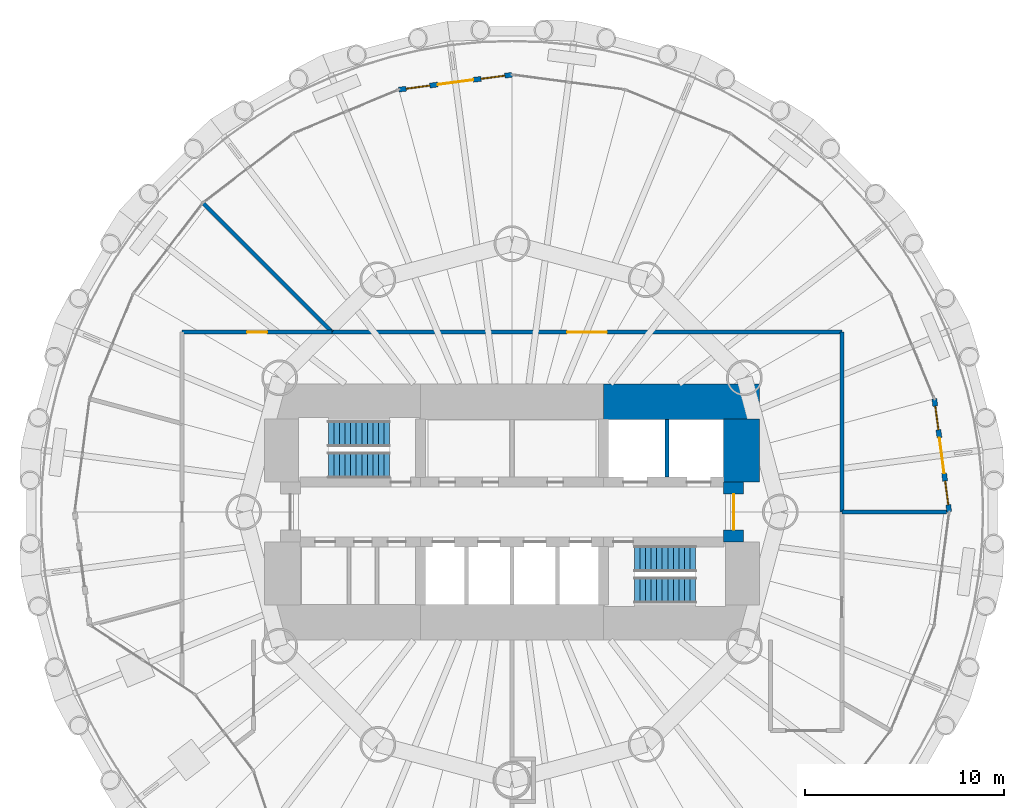
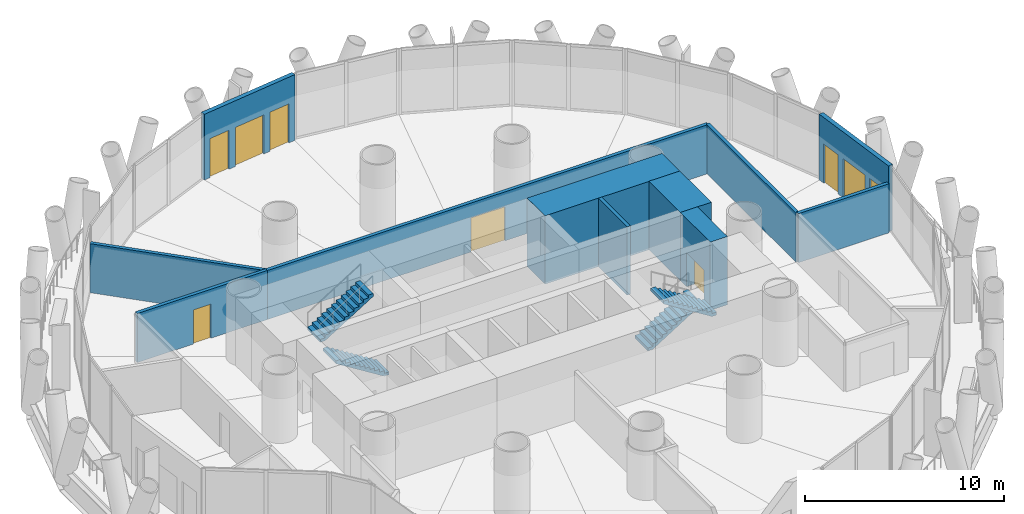
# One storey, part 10 of 14: 11 walls, 5 doors, 4 stair flights, 4 windows, 9 openings, 2 elements without a shape of their own.
"""IFC4 building model written with IfcOpenShell, lengths in metres."""

from ifc_helpers import new_model, si_unit, direction, frame, frame_2d, origin, place, context, subcontext, project, spatial, polyline, rectangle, outline, extrude, material, layer, layer_set, type_object, element, fill, aggregate, save


model = new_model("IFC4")

# Units and contexts
model_context = context("Model", 3, precision=1e-05, world=origin(), true_north=direction((0.0, 1.0)))
body_context = subcontext(model_context, "Body", "Model", "MODEL_VIEW")
ifc_project = project(units=[si_unit("LENGTHUNIT", "METRE"), si_unit("AREAUNIT", "SQUARE_METRE"), si_unit("VOLUMEUNIT", "CUBIC_METRE"), si_unit("PLANEANGLEUNIT", "RADIAN"), si_unit("MASSUNIT", "GRAM", prefix="KILO")], contexts=[model_context])

# Site, building, storey
site_placement = place(None, origin())
site = spatial("IfcSite", under=ifc_project, at=site_placement, CompositionType="ELEMENT")
building_placement = place(site_placement, origin())
building = spatial("IfcBuilding", under=site, at=building_placement, Name="Qaws Media Tower", CompositionType="ELEMENT")
storey_placement = place(building_placement, frame((0.0, 0.0, 185.60009765625)))
storey = spatial("IfcBuildingStorey", under=building, at=storey_placement, Name="L42", CompositionType="ELEMENT", Elevation=185.60009765625)

# Wall, openings, door, windows
ifc_material_1 = material(Name="Precast concrete, exposed finish", Category="concrete")
ifc_layer_1 = layer(ifc_material_1, 0.25)
ifc_layer_set_1 = layer_set([ifc_layer_1], Name="Balcony door wall 250")
wall_type_1 = type_object("IfcWallType", Name="Balcony door wall 250", PredefinedType="SOLIDWALL", material=ifc_layer_set_1)
wall_1_placement = place(storey_placement, frame((82.0, 50.0, 0.0), z_axis=(0.0, 0.0, 1.0), x_axis=(-0.130503995834, 0.991447783331, 0.0)))
wall_1 = element("IfcWall", 1, at=wall_1_placement, inside=storey, type_object=wall_type_1, Name="W226 EW1 balcony door wall L42-01", PredefinedType="SOLIDWALL", context=body_context, shape_type="SweptSolid", body=[
    extrude(rectangle(XDim=5.7431640625, YDim=0.25, at=frame_2d((2.87158203125, 0.0))), origin(), (0.0, 0.0, 1.0), 4.039794921875),
])
opening_1_placement = place(wall_1_placement, frame((1.9716796875, 0.0, 0.0)))
opening_1 = element("IfcOpeningElement", 2, at=opening_1_placement, cuts=wall_1, Name="Opening D7", PredefinedType="OPENING", context=body_context, shape_type="SweptSolid", body=[
    extrude(rectangle(XDim=1.800048828125, YDim=2.39990234375, at=frame_2d((0.89990234375, 1.199951171875))), frame((0.0, 0.135009765625, 0.0), z_axis=(0.0, -1.0, 0.0), x_axis=(1.0, 0.0, 0.0)), (0.0, 0.0, 1.0), 0.27001953125),
])
opening_2_placement = place(wall_1_placement, frame((0.37158203125, 0.0, 0.0)))
opening_2 = element("IfcOpeningElement", 3, at=opening_2_placement, cuts=wall_1, Name="Opening W1", PredefinedType="OPENING", context=body_context, shape_type="SweptSolid", body=[
    extrude(rectangle(XDim=1.199951171875, YDim=2.39990234375, at=frame_2d((0.60009765625, 1.199951171875))), frame((0.0, 0.135009765625, 0.0), z_axis=(0.0, -1.0, 0.0), x_axis=(1.0, 0.0, 0.0)), (0.0, 0.0, 1.0), 0.27001953125),
])
opening_3_placement = place(wall_1_placement, frame((4.171630859375, 0.0, 0.0)))
opening_3 = element("IfcOpeningElement", 4, at=opening_3_placement, cuts=wall_1, Name="Opening W1", PredefinedType="OPENING", context=body_context, shape_type="SweptSolid", body=[
    extrude(rectangle(XDim=1.199951171875, YDim=2.39990234375, at=frame_2d((0.60009765625, 1.199951171875))), frame((0.0, 0.135009765625, 0.0), z_axis=(0.0, -1.0, 0.0), x_axis=(1.0, 0.0, 0.0)), (0.0, 0.0, 1.0), 0.27001953125),
])
ifc_material_2 = material(Name="Aluminium and clear glass", Category="aluminium")
door_type_1 = type_object("IfcDoorType", Name="Balcony door pair 1800", OperationType="DOUBLE_DOOR_SLIDING", PredefinedType="DOOR", material=ifc_material_2)
door_1_placement = place(opening_1_placement, origin())
door_1 = element("IfcDoor", 5, at=door_1_placement, inside=storey, type_object=door_type_1, Name="D7 balcony door L42-01 in wall W226", OperationType="DOUBLE_DOOR_SLIDING", OverallHeight=2.39990234375, OverallWidth=1.800048828125, PredefinedType="DOOR", context=body_context, shape_type="SweptSolid", body=[
    extrude(rectangle(XDim=1.800048828125, YDim=2.39990234375, at=frame_2d((0.89990234375, 1.199951171875))), frame((0.0, 0.02490234375, 0.0), z_axis=(0.0, -1.0, 0.0), x_axis=(1.0, 0.0, 0.0)), (0.0, 0.0, 1.0), 0.050048828125),
])
fill(opening_1, door_1)
ifc_material_3 = material(Name="Aluminium and clear glass", Category="aluminium")
window_type = type_object("IfcWindowType", Name="Balcony side window 1200", PartitioningType="SINGLE_PANEL", PredefinedType="WINDOW", material=ifc_material_3)
window_1_placement = place(opening_2_placement, origin())
window_1 = element("IfcWindow", 6, at=window_1_placement, inside=storey, type_object=window_type, Name="W1 balcony side light L42-01L", OverallHeight=2.39990234375, OverallWidth=1.199951171875, PartitioningType="SINGLE_PANEL", PredefinedType="WINDOW", context=body_context, shape_type="SweptSolid", body=[
    extrude(rectangle(XDim=1.199951171875, YDim=2.39990234375, at=frame_2d((0.60009765625, 1.199951171875))), frame((0.0, 0.030029296875, 0.0), z_axis=(0.0, -1.0, 0.0), x_axis=(1.0, 0.0, 0.0)), (0.0, 0.0, 1.0), 0.06005859375),
])
fill(opening_2, window_1)
window_2_placement = place(opening_3_placement, origin())
window_2 = element("IfcWindow", 7, at=window_2_placement, inside=storey, type_object=window_type, Name="W1 balcony side light L42-01R", OverallHeight=2.39990234375, OverallWidth=1.199951171875, PartitioningType="SINGLE_PANEL", PredefinedType="WINDOW", context=body_context, shape_type="SweptSolid", body=[
    extrude(rectangle(XDim=1.199951171875, YDim=2.39990234375, at=frame_2d((0.60009765625, 1.199951171875))), frame((0.0, 0.030029296875, 0.0), z_axis=(0.0, -1.0, 0.0), x_axis=(1.0, 0.0, 0.0)), (0.0, 0.0, 1.0), 0.06005859375),
])
fill(opening_3, window_2)

wall_2_placement = place(storey_placement, frame((60.0, 72.0, 0.0), z_axis=(0.0, 0.0, 1.0), x_axis=(-0.991447783331, -0.130503995834, 0.0)))
wall_2 = element("IfcWall", 8, at=wall_2_placement, inside=storey, type_object=wall_type_1, Name="W225 EW1 balcony door wall L42-07", PredefinedType="SOLIDWALL", context=body_context, shape_type="SweptSolid", body=[
    extrude(rectangle(XDim=5.7431640625, YDim=0.25, at=frame_2d((2.87158203125, 0.0))), origin(), (0.0, 0.0, 1.0), 4.039794921875),
])
opening_4_placement = place(wall_2_placement, frame((1.9716796875, 0.0, 0.0)))
opening_4 = element("IfcOpeningElement", 9, at=opening_4_placement, cuts=wall_2, Name="Opening D7", PredefinedType="OPENING", context=body_context, shape_type="SweptSolid", body=[
    extrude(rectangle(XDim=1.800048828125, YDim=2.39990234375, at=frame_2d((0.89990234375, 1.199951171875))), frame((0.0, 0.135009765625, 0.0), z_axis=(0.0, -1.0, 0.0), x_axis=(1.0, 0.0, 0.0)), (0.0, 0.0, 1.0), 0.27001953125),
])
opening_5_placement = place(wall_2_placement, frame((0.37158203125, 0.0, 0.0)))
opening_5 = element("IfcOpeningElement", 10, at=opening_5_placement, cuts=wall_2, Name="Opening W1", PredefinedType="OPENING", context=body_context, shape_type="SweptSolid", body=[
    extrude(rectangle(XDim=1.199951171875, YDim=2.39990234375, at=frame_2d((0.60009765625, 1.199951171875))), frame((0.0, 0.135009765625, 0.0), z_axis=(0.0, -1.0, 0.0), x_axis=(1.0, 0.0, 0.0)), (0.0, 0.0, 1.0), 0.27001953125),
])
opening_6_placement = place(wall_2_placement, frame((4.171630859375, 0.0, 0.0)))
opening_6 = element("IfcOpeningElement", 11, at=opening_6_placement, cuts=wall_2, Name="Opening W1", PredefinedType="OPENING", context=body_context, shape_type="SweptSolid", body=[
    extrude(rectangle(XDim=1.199951171875, YDim=2.39990234375, at=frame_2d((0.60009765625, 1.199951171875))), frame((0.0, 0.135009765625, 0.0), z_axis=(0.0, -1.0, 0.0), x_axis=(1.0, 0.0, 0.0)), (0.0, 0.0, 1.0), 0.27001953125),
])
door_2_placement = place(opening_4_placement, origin())
door_2 = element("IfcDoor", 12, at=door_2_placement, inside=storey, type_object=door_type_1, Name="D7 balcony door L42-07 in wall W225", OperationType="DOUBLE_DOOR_SLIDING", OverallHeight=2.39990234375, OverallWidth=1.800048828125, PredefinedType="DOOR", context=body_context, shape_type="SweptSolid", body=[
    extrude(rectangle(XDim=1.800048828125, YDim=2.39990234375, at=frame_2d((0.89990234375, 1.199951171875))), frame((0.0, 0.02490234375, 0.0), z_axis=(0.0, -1.0, 0.0), x_axis=(1.0, 0.0, 0.0)), (0.0, 0.0, 1.0), 0.050048828125),
])
fill(opening_4, door_2)
window_3_placement = place(opening_5_placement, origin())
window_3 = element("IfcWindow", 13, at=window_3_placement, inside=storey, type_object=window_type, Name="W1 balcony side light L42-07L", OverallHeight=2.39990234375, OverallWidth=1.199951171875, PartitioningType="SINGLE_PANEL", PredefinedType="WINDOW", context=body_context, shape_type="SweptSolid", body=[
    extrude(rectangle(XDim=1.199951171875, YDim=2.39990234375, at=frame_2d((0.60009765625, 1.199951171875))), frame((0.0, 0.030029296875, 0.0), z_axis=(0.0, -1.0, 0.0), x_axis=(1.0, 0.0, 0.0)), (0.0, 0.0, 1.0), 0.06005859375),
])
fill(opening_5, window_3)
window_4_placement = place(opening_6_placement, origin())
window_4 = element("IfcWindow", 14, at=window_4_placement, inside=storey, type_object=window_type, Name="W1 balcony side light L42-07R", OverallHeight=2.39990234375, OverallWidth=1.199951171875, PartitioningType="SINGLE_PANEL", PredefinedType="WINDOW", context=body_context, shape_type="SweptSolid", body=[
    extrude(rectangle(XDim=1.199951171875, YDim=2.39990234375, at=frame_2d((0.60009765625, 1.199951171875))), frame((0.0, 0.030029296875, 0.0), z_axis=(0.0, -1.0, 0.0), x_axis=(1.0, 0.0, 0.0)), (0.0, 0.0, 1.0), 0.06005859375),
])
fill(opening_6, window_4)

# Wall, opening, door
ifc_material_4 = material(Name="Concrete C60/75", Category="concrete")
ifc_layer_2 = layer(ifc_material_4, 1.0)
ifc_layer_set_2 = layer_set([ifc_layer_2], Name="Core wall 1000")
wall_type_2 = type_object("IfcWallType", Name="Core wall 1000", PredefinedType="SHEAR", material=ifc_layer_set_2)
wall_3_placement = place(storey_placement, frame((71.14990234375, 48.5, 0.0), z_axis=(0.0, 0.0, 1.0), x_axis=(0.0, 1.0, 0.0)))
wall_3 = element("IfcWall", 15, at=wall_3_placement, inside=storey, type_object=wall_type_2, Name="W367 SW8 core wall E L42", PredefinedType="SHEAR", context=body_context, shape_type="SweptSolid", body=[
    extrude(rectangle(XDim=3.0, YDim=1.0, at=frame_2d((1.5, 0.0))), origin(), (0.0, 0.0, 1.0), 4.199951171875),
])
opening_7_placement = place(wall_3_placement, frame((0.60009765625, 0.0, 0.0)))
opening_7 = element("IfcOpeningElement", 16, at=opening_7_placement, cuts=wall_3, Name="Opening D2", PredefinedType="OPENING", context=body_context, shape_type="SweptSolid", body=[
    extrude(rectangle(XDim=1.800048828125, YDim=2.10009765625, at=frame_2d((0.89990234375, 1.050048828125))), frame((0.0, 0.510009765625, 0.0), z_axis=(0.0, -1.0, 0.0), x_axis=(1.0, 0.0, 0.0)), (0.0, 0.0, 1.0), 1.02001953125),
])
ifc_material_5 = material(Name="Steel and glass, fire rated", Category="steel")
door_type_2 = type_object("IfcDoorType", Name="Lobby door pair 1800 FD60", OperationType="DOUBLE_DOOR_DOUBLE_SWING", PredefinedType="DOOR", material=ifc_material_5)
door_3_placement = place(opening_7_placement, origin())
door_3 = element("IfcDoor", 17, at=door_3_placement, inside=storey, type_object=door_type_2, Name="D2 core lobby door E L42 in wall W367", OperationType="DOUBLE_DOOR_DOUBLE_SWING", OverallHeight=2.10009765625, OverallWidth=1.800048828125, PredefinedType="DOOR", context=body_context, shape_type="SweptSolid", body=[
    extrude(rectangle(XDim=1.800048828125, YDim=2.10009765625, at=frame_2d((0.89990234375, 1.050048828125))), frame((0.0, 0.02490234375, 0.0), z_axis=(0.0, -1.0, 0.0), x_axis=(1.0, 0.0, 0.0)), (0.0, 0.0, 1.0), 0.050048828125),
])
fill(opening_7, door_3)

# Walls
ifc_material_6 = material(Name="Concrete C60/75", Category="concrete")
ifc_layer_3 = layer(ifc_material_6, 1.800048828125)
ifc_layer_set_3 = layer_set([ifc_layer_3], Name="Core wall 1800")
wall_type_3 = type_object("IfcWallType", Name="Core wall 1800", PredefinedType="SHEAR", material=ifc_layer_set_3)
wall_4_placement = place(storey_placement, frame((64.60009765625, 55.550048828125, 0.0), z_axis=(0.0, 0.0, 1.0), x_axis=(1.0, 0.0, 0.0)))
element("IfcWall", 18, at=wall_4_placement, inside=storey, type_object=wall_type_3, Name="W423 SW11 core wall NE L42", PredefinedType="SHEAR", context=body_context, shape_type="SweptSolid", body=[
    extrude(rectangle(XDim=7.849853515625, YDim=1.800048828125, at=frame_2d((3.9248046875, 0.0))), origin(), (0.0, 0.0, 1.0), 4.199951171875),
])
wall_5_placement = place(storey_placement, frame((71.550048828125, 51.5, 0.0), z_axis=(0.0, 0.0, 1.0), x_axis=(0.0, 1.0, 0.0)))
element("IfcWall", 19, at=wall_5_placement, inside=storey, type_object=wall_type_3, Name="W425 SW11 core wall EN L42", PredefinedType="SHEAR", context=body_context, shape_type="SweptSolid", body=[
    extrude(rectangle(XDim=3.169921875, YDim=1.800048828125, at=frame_2d((1.5849609375, 0.0))), origin(), (0.0, 0.0, 1.0), 4.199951171875),
])

# Wall, opening, door
ifc_material_7 = material(Name="Gypsum board on galvanised metal studs, acoustic double stud, deflection head", Category="gypsum")
ifc_layer_4 = layer(ifc_material_7, 0.199951171875)
ifc_layer_set_4 = layer_set([ifc_layer_4], Name="Room partition 200")
wall_type_4 = type_object("IfcWallType", Name="Room partition 200", PredefinedType="PARTITIONING", material=ifc_layer_set_4)
wall_6_placement = place(storey_placement, frame((43.39990234375, 59.050048828125, 0.0), z_axis=(0.0, 0.0, 1.0), x_axis=(1.0, 0.0, 0.0)))
wall_6 = element("IfcWall", 20, at=wall_6_placement, inside=storey, type_object=wall_type_4, Name="W1390 IW3 partition L42", PredefinedType="PARTITIONING", context=body_context, shape_type="SweptSolid", body=[
    extrude(rectangle(XDim=7.550048828125, YDim=0.199951171875, at=frame_2d((3.77490234375, 0.0))), origin(), (0.0, 0.0, 1.0), 3.011962890625),
])
opening_8_placement = place(wall_6_placement, frame((3.27490234375, 0.0, 0.0)))
opening_8 = element("IfcOpeningElement", 21, at=opening_8_placement, cuts=wall_6, Name="Opening D5", PredefinedType="OPENING", context=body_context, shape_type="SweptSolid", body=[
    extrude(rectangle(XDim=1.0, YDim=2.10009765625, at=frame_2d((0.5, 1.050048828125))), frame((0.0, 0.10986328125, 0.0), z_axis=(0.0, -1.0, 0.0), x_axis=(1.0, 0.0, 0.0)), (0.0, 0.0, 1.0), 0.219970703125),
])
ifc_material_8 = material(Name="Timber veneered, acoustic seal", Category="wood")
door_type_3 = type_object("IfcDoorType", Name="Room door 1000", OperationType="SINGLE_SWING_LEFT", PredefinedType="DOOR", material=ifc_material_8)
door_4_placement = place(opening_8_placement, origin())
door_4 = element("IfcDoor", 22, at=door_4_placement, inside=storey, type_object=door_type_3, Name="D5 Brand studio door L42 in wall W1390", OperationType="SINGLE_SWING_LEFT", OverallHeight=2.10009765625, OverallWidth=1.0, PredefinedType="DOOR", context=body_context, shape_type="SweptSolid", body=[
    extrude(rectangle(XDim=1.0, YDim=2.10009765625, at=frame_2d((0.5, 1.050048828125))), frame((0.0, 0.02490234375, 0.0), z_axis=(0.0, -1.0, 0.0), x_axis=(1.0, 0.0, 0.0)), (0.0, 0.0, 1.0), 0.050048828125),
])
fill(opening_8, door_4)

wall_7_placement = place(storey_placement, frame((50.949951171875, 59.050048828125, 0.0), z_axis=(0.0, 0.0, 1.0), x_axis=(1.0, 0.0, 0.0)))
wall_7 = element("IfcWall", 23, at=wall_7_placement, inside=storey, type_object=wall_type_4, Name="W1432 IW3 partition L42", PredefinedType="PARTITIONING", context=body_context, shape_type="SweptSolid", body=[
    extrude(rectangle(XDim=25.650146484375, YDim=0.199951171875, at=frame_2d((12.8251953125, 0.0))), origin(), (0.0, 0.0, 1.0), 3.011962890625),
])
opening_9_placement = place(wall_7_placement, frame((11.824951171875, 0.0, 0.0)))
opening_9 = element("IfcOpeningElement", 24, at=opening_9_placement, cuts=wall_7, Name="Opening D6", PredefinedType="OPENING", context=body_context, shape_type="SweptSolid", body=[
    extrude(rectangle(XDim=2.0, YDim=2.10009765625, at=frame_2d((1.0, 1.050048828125))), frame((0.0, 0.10986328125, 0.0), z_axis=(0.0, -1.0, 0.0), x_axis=(1.0, 0.0, 0.0)), (0.0, 0.0, 1.0), 0.219970703125),
])
ifc_material_9 = material(Name="Steel, acoustic, fire rated", Category="steel")
door_type_4 = type_object("IfcDoorType", Name="Room door pair 2000", OperationType="DOUBLE_DOOR_DOUBLE_SWING", PredefinedType="DOOR", material=ifc_material_9)
door_5_placement = place(opening_9_placement, origin())
door_5 = element("IfcDoor", 25, at=door_5_placement, inside=storey, type_object=door_type_4, Name="D6 Marketing office door L42 in wall W1432", OperationType="DOUBLE_DOOR_DOUBLE_SWING", OverallHeight=2.10009765625, OverallWidth=2.0, PredefinedType="DOOR", context=body_context, shape_type="SweptSolid", body=[
    extrude(rectangle(XDim=2.0, YDim=2.10009765625, at=frame_2d((1.0, 1.050048828125))), frame((0.0, 0.02490234375, 0.0), z_axis=(0.0, -1.0, 0.0), x_axis=(1.0, 0.0, 0.0)), (0.0, 0.0, 1.0), 0.050048828125),
])
fill(opening_9, door_5)

# Walls
wall_8_placement = place(storey_placement, frame((76.60009765625, 59.050048828125, 0.0), z_axis=(0.0, 0.0, 1.0), x_axis=(0.0, -1.0, 0.0)))
element("IfcWall", 26, at=wall_8_placement, inside=storey, type_object=wall_type_4, Name="W1403 IW3 partition L42", PredefinedType="PARTITIONING", context=body_context, shape_type="SweptSolid", body=[
    extrude(rectangle(XDim=9.050048828125, YDim=0.199951171875, at=frame_2d((4.52490234375, 0.0))), origin(), (0.0, 0.0, 1.0), 3.011962890625),
])
wall_9_placement = place(storey_placement, frame((76.60009765625, 50.0, 0.0), z_axis=(0.0, 0.0, 1.0), x_axis=(1.0, 0.0, 0.0)))
element("IfcWall", 27, at=wall_9_placement, inside=storey, type_object=wall_type_4, Name="W1439 IW3 partition L42", PredefinedType="PARTITIONING", context=body_context, shape_type="SweptSolid", body=[
    extrude(rectangle(XDim=5.260009765625, YDim=0.199951171875, at=frame_2d((2.6298828125, 0.0))), origin(), (0.0, 0.0, 1.0), 3.011962890625),
])
wall_10_placement = place(storey_placement, frame((50.948974609375, 59.051025390625, 0.0), z_axis=(0.0, 0.0, 1.0), x_axis=(-0.707106781187, 0.707106781187, 0.0)))
element("IfcWall", 28, at=wall_10_placement, inside=storey, type_object=wall_type_4, Name="W1431 IW3 partition L42", PredefinedType="PARTITIONING", context=body_context, shape_type="SweptSolid", body=[
    extrude(rectangle(XDim=9.159912109375, YDim=0.199951171875, at=frame_2d((4.580078125, 0.0))), origin(), (0.0, 0.0, 1.0), 3.011962890625),
])
ifc_material_10 = material(Name="Fire-rated gypsum board shaft wall on galvanised metal studs, deflection head", Category="gypsum")
ifc_layer_5 = layer(ifc_material_10, 0.199951171875)
ifc_layer_set_5 = layer_set([ifc_layer_5], Name="Shaft wall 200")
wall_type_5 = type_object("IfcWallType", Name="Shaft wall 200", PredefinedType="PARTITIONING", material=ifc_layer_set_5)
wall_11_placement = place(storey_placement, frame((67.800048828125, 51.75, 0.0), z_axis=(0.0, 0.0, 1.0), x_axis=(0.0, 1.0, 0.0)))
element("IfcWall", 29, at=wall_11_placement, inside=storey, type_object=wall_type_5, Name="W1859 IW1 shaft wall FL L42", PredefinedType="PARTITIONING", context=body_context, shape_type="SweptSolid", body=[
    extrude(rectangle(XDim=2.89990234375, YDim=0.199951171875, at=frame_2d((1.449951171875, 0.0))), origin(), (0.0, 0.0, 1.0), 4.199951171875),
])

# Stair, stair flights
ifc_material_11 = material(Name="Concrete C40/50", Category="concrete")
stair_type = type_object("IfcStairType", Name="Exit stair", PredefinedType="HALF_TURN_STAIR", material=ifc_material_11)
stair_1_placement = place(storey_placement, origin())
stair_1 = element("IfcStair", 30, at=stair_1_placement, inside=storey, type_object=stair_type, Name="S1 exit stair L42", PredefinedType="HALF_TURN_STAIR")
ifc_material_12 = material(Name="Concrete C40/50", Category="concrete")
stair_flight_type = type_object("IfcStairFlightType", Name="Stair flight 1310", PredefinedType="STRAIGHT", material=ifc_material_12)
stair_flight_1_placement = place(storey_placement, frame((53.840087890625, 52.35498046875, 0.0), z_axis=(0.0, 0.0, 1.0), x_axis=(-1.0, 0.0, 0.0)))
stair_flight_1 = element("IfcStairFlight", 31, at=stair_flight_1_placement, type_object=stair_flight_type, Name="S1 flight 1", NumberOfRisers=12, NumberOfTreads=11, PredefinedType="STRAIGHT", RiserHeight=0.175, TreadLength=0.28, context=body_context, shape_type="SweptSolid", body=[
    extrude(outline(polyline([(0.0, 0.0), (0.0, 0.175048828125), (0.280029296875, 0.175048828125), (0.280029296875, 0.35009765625), (0.56005859375, 0.35009765625), (0.56005859375, 0.52490234375), (0.840087890625, 0.52490234375), (0.840087890625, 0.699951171875), (1.1201171875, 0.699951171875), (1.1201171875, 0.875), (1.39990234375, 0.875), (1.39990234375, 1.050048828125), (1.679931640625, 1.050048828125), (1.679931640625, 1.22509765625), (1.9599609375, 1.22509765625), (1.9599609375, 1.39990234375), (2.239990234375, 1.39990234375), (2.239990234375, 1.574951171875), (2.52001953125, 1.574951171875), (2.52001953125, 1.75), (2.800048828125, 1.75), (2.800048828125, 1.925048828125), (3.080078125, 1.925048828125), (3.080078125, 2.10009765625), (3.080078125, 1.748291015625), (0.28271484375, 0.0), (0.0, 0.0)])), frame((0.0, 0.655029296875, 0.0), z_axis=(0.0, -1.0, 0.0), x_axis=(1.0, 0.0, 0.0)), (0.0, 0.0, 1.0), 1.31005859375),
])
stair_flight_2_placement = place(storey_placement, frame((50.760009765625, 53.945068359375, 2.099853515625), z_axis=(0.0, 0.0, 1.0), x_axis=(1.0, 0.0, 0.0)))
stair_flight_2 = element("IfcStairFlight", 32, at=stair_flight_2_placement, type_object=stair_flight_type, Name="S1 flight 2", NumberOfRisers=12, NumberOfTreads=11, PredefinedType="STRAIGHT", RiserHeight=0.175, TreadLength=0.28, context=body_context, shape_type="SweptSolid", body=[
    extrude(outline(polyline([(0.0, 0.0), (0.0, 0.175048828125), (0.280029296875, 0.175048828125), (0.280029296875, 0.35009765625), (0.56005859375, 0.35009765625), (0.56005859375, 0.52490234375), (0.840087890625, 0.52490234375), (0.840087890625, 0.699951171875), (1.1201171875, 0.699951171875), (1.1201171875, 0.875), (1.39990234375, 0.875), (1.39990234375, 1.050048828125), (1.679931640625, 1.050048828125), (1.679931640625, 1.22509765625), (1.9599609375, 1.22509765625), (1.9599609375, 1.39990234375), (2.239990234375, 1.39990234375), (2.239990234375, 1.574951171875), (2.52001953125, 1.574951171875), (2.52001953125, 1.75), (2.800048828125, 1.75), (2.800048828125, 1.925048828125), (3.080078125, 1.925048828125), (3.080078125, 2.10009765625), (3.080078125, 1.748291015625), (0.28271484375, 0.0), (0.0, 0.0)])), frame((0.0, 0.655029296875, 0.0), z_axis=(0.0, -1.0, 0.0), x_axis=(1.0, 0.0, 0.0)), (0.0, 0.0, 1.0), 1.31005859375),
])
aggregate(stair_1, [stair_flight_1, stair_flight_2])

stair_2_placement = place(storey_placement, origin())
stair_2 = element("IfcStair", 33, at=stair_2_placement, inside=storey, type_object=stair_type, Name="S2 exit stair L42", PredefinedType="HALF_TURN_STAIR")
stair_flight_3_placement = place(storey_placement, frame((66.159912109375, 47.64501953125, 0.0), z_axis=(0.0, 0.0, 1.0), x_axis=(1.0, 0.0, 0.0)))
stair_flight_3 = element("IfcStairFlight", 34, at=stair_flight_3_placement, type_object=stair_flight_type, Name="S2 flight 1", NumberOfRisers=12, NumberOfTreads=11, PredefinedType="STRAIGHT", RiserHeight=0.175, TreadLength=0.28, context=body_context, shape_type="SweptSolid", body=[
    extrude(outline(polyline([(0.0, 0.0), (0.0, 0.175048828125), (0.280029296875, 0.175048828125), (0.280029296875, 0.35009765625), (0.56005859375, 0.35009765625), (0.56005859375, 0.52490234375), (0.840087890625, 0.52490234375), (0.840087890625, 0.699951171875), (1.1201171875, 0.699951171875), (1.1201171875, 0.875), (1.39990234375, 0.875), (1.39990234375, 1.050048828125), (1.679931640625, 1.050048828125), (1.679931640625, 1.22509765625), (1.9599609375, 1.22509765625), (1.9599609375, 1.39990234375), (2.239990234375, 1.39990234375), (2.239990234375, 1.574951171875), (2.52001953125, 1.574951171875), (2.52001953125, 1.75), (2.800048828125, 1.75), (2.800048828125, 1.925048828125), (3.080078125, 1.925048828125), (3.080078125, 2.10009765625), (3.080078125, 1.748291015625), (0.28271484375, 0.0), (0.0, 0.0)])), frame((0.0, 0.655029296875, 0.0), z_axis=(0.0, -1.0, 0.0), x_axis=(1.0, 0.0, 0.0)), (0.0, 0.0, 1.0), 1.31005859375),
])
stair_flight_4_placement = place(storey_placement, frame((69.239990234375, 46.054931640625, 2.099853515625), z_axis=(0.0, 0.0, 1.0), x_axis=(-1.0, 0.0, 0.0)))
stair_flight_4 = element("IfcStairFlight", 35, at=stair_flight_4_placement, type_object=stair_flight_type, Name="S2 flight 2", NumberOfRisers=12, NumberOfTreads=11, PredefinedType="STRAIGHT", RiserHeight=0.175, TreadLength=0.28, context=body_context, shape_type="SweptSolid", body=[
    extrude(outline(polyline([(0.0, 0.0), (0.0, 0.175048828125), (0.280029296875, 0.175048828125), (0.280029296875, 0.35009765625), (0.56005859375, 0.35009765625), (0.56005859375, 0.52490234375), (0.840087890625, 0.52490234375), (0.840087890625, 0.699951171875), (1.1201171875, 0.699951171875), (1.1201171875, 0.875), (1.39990234375, 0.875), (1.39990234375, 1.050048828125), (1.679931640625, 1.050048828125), (1.679931640625, 1.22509765625), (1.9599609375, 1.22509765625), (1.9599609375, 1.39990234375), (2.239990234375, 1.39990234375), (2.239990234375, 1.574951171875), (2.52001953125, 1.574951171875), (2.52001953125, 1.75), (2.800048828125, 1.75), (2.800048828125, 1.925048828125), (3.080078125, 1.925048828125), (3.080078125, 2.10009765625), (3.080078125, 1.748291015625), (0.28271484375, 0.0), (0.0, 0.0)])), frame((0.0, 0.655029296875, 0.0), z_axis=(0.0, -1.0, 0.0), x_axis=(1.0, 0.0, 0.0)), (0.0, 0.0, 1.0), 1.31005859375),
])
aggregate(stair_2, [stair_flight_3, stair_flight_4])

save(model, "model.ifc")
